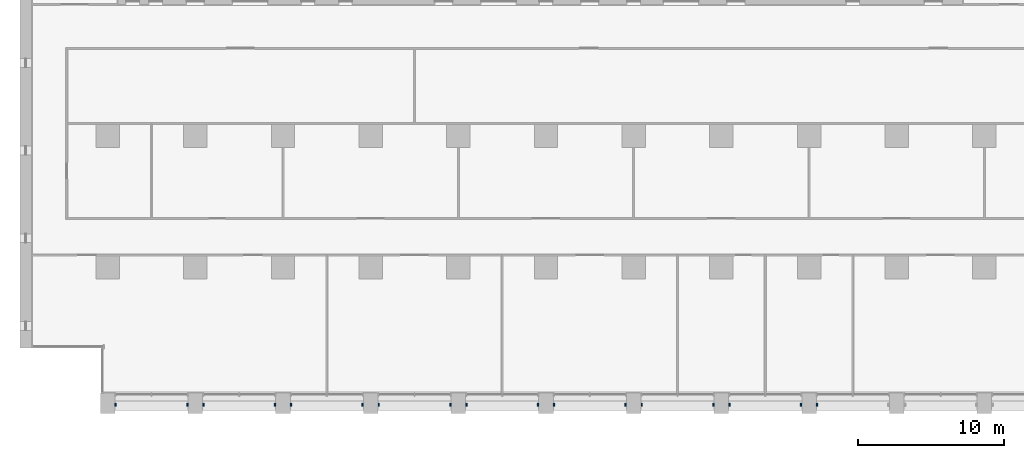
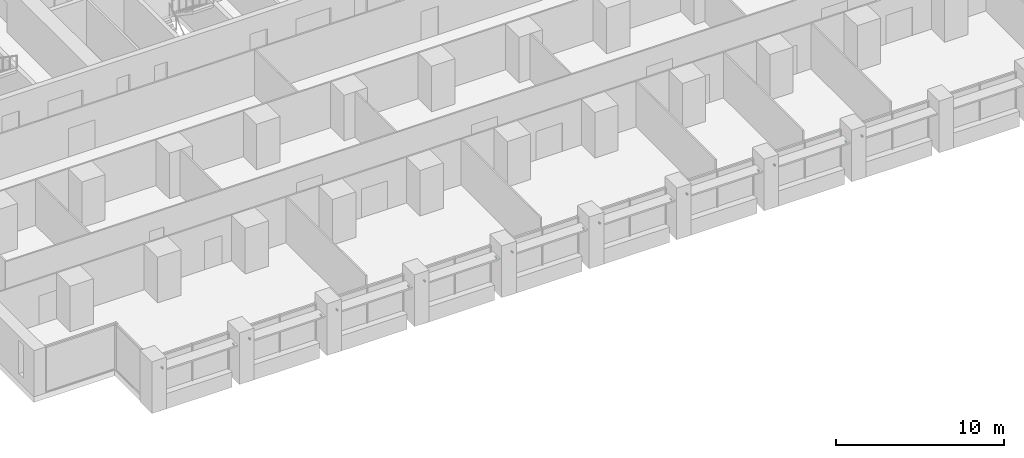
# One storey, part 15 of 18: 17 discrete accessories.
"""IFC4 building model written with IfcOpenShell, lengths in metres."""

from ifc_helpers import new_model, si_unit, direction, frame, origin, origin_2d, place, context, subcontext, project, spatial, rectangle, extrude, element, save


model = new_model("IFC4")

# Units and contexts
model_context = context("Model", 3, precision=1e-05, world=origin(), true_north=direction((0.0, 1.0)))
body_context = subcontext(model_context, "Body", "Model", "MODEL_VIEW")
ifc_project = project(units=[si_unit("LENGTHUNIT", "METRE"), si_unit("AREAUNIT", "SQUARE_METRE"), si_unit("VOLUMEUNIT", "CUBIC_METRE"), si_unit("PLANEANGLEUNIT", "RADIAN"), si_unit("MASSUNIT", "GRAM", prefix="KILO")], contexts=[model_context])

# Site, building, storey
site_placement = place(None, origin())
site = spatial("IfcSite", under=ifc_project, at=site_placement, CompositionType="ELEMENT")
building_placement = place(site_placement, origin())
building = spatial("IfcBuilding", under=site, at=building_placement, Name="Calvaro Tower", CompositionType="ELEMENT")
storey_placement = place(building_placement, frame((0.0, 0.0, 63.75)))
storey = spatial("IfcBuildingStorey", under=building, at=storey_placement, Name="L15", CompositionType="ELEMENT", Elevation=63.75)

# Discrete accessories
for number, where, z_axis, x_axis, name in (
    (1, (6.550048828125, 0.60009765625, 2.14990234375), (0.0, 0.0, 1.0), (1.0, 0.0, 0.0), "Brise-soleil bracket"),
    (2, (11.449951171875, 0.60009765625, 2.14990234375), (0.0, 0.0, 1.0), (1.0, 0.0, 0.0), "Brise-soleil bracket"),
    (3, (12.550048828125, 0.60009765625, 2.14990234375), (0.0, 0.0, 1.0), (1.0, 0.0, 0.0), "Brise-soleil bracket"),
    (4, (17.449951171875, 0.60009765625, 2.14990234375), (0.0, 0.0, 1.0), (1.0, 0.0, 0.0), "Brise-soleil bracket"),
    (5, (18.550048828125, 0.60009765625, 2.14990234375), (0.0, 0.0, 1.0), (1.0, 0.0, 0.0), "Brise-soleil bracket"),
    (6, (23.449951171875, 0.60009765625, 2.14990234375), (0.0, 0.0, 1.0), (1.0, 0.0, 0.0), "Brise-soleil bracket"),
    (7, (24.550048828125, 0.60009765625, 2.14990234375), (0.0, 0.0, 1.0), (1.0, 0.0, 0.0), "Brise-soleil bracket"),
    (8, (29.449951171875, 0.60009765625, 2.14990234375), (0.0, 0.0, 1.0), (1.0, 0.0, 0.0), "Brise-soleil bracket"),
    (9, (30.550048828125, 0.60009765625, 2.14990234375), (0.0, 0.0, 1.0), (1.0, 0.0, 0.0), "Brise-soleil bracket"),
    (10, (35.449951171875, 0.60009765625, 2.14990234375), (0.0, 0.0, 1.0), (1.0, 0.0, 0.0), "Brise-soleil bracket"),
    (11, (36.550048828125, 0.60009765625, 2.14990234375), (0.0, 0.0, 1.0), (1.0, 0.0, 0.0), "Brise-soleil bracket"),
    (12, (41.449951171875, 0.60009765625, 2.14990234375), (0.0, 0.0, 1.0), (1.0, 0.0, 0.0), "Brise-soleil bracket"),
    (13, (42.550048828125, 0.60009765625, 2.14990234375), (0.0, 0.0, 1.0), (1.0, 0.0, 0.0), "Brise-soleil bracket"),
    (14, (47.449951171875, 0.60009765625, 2.14990234375), (0.0, 0.0, 1.0), (1.0, 0.0, 0.0), "Brise-soleil bracket"),
    (15, (48.550048828125, 0.60009765625, 2.14990234375), (0.0, 0.0, 1.0), (1.0, 0.0, 0.0), "Brise-soleil bracket"),
    (16, (53.449951171875, 0.60009765625, 2.14990234375), (0.0, 0.0, 1.0), (1.0, 0.0, 0.0), "Brise-soleil bracket"),
    (17, (54.550048828125, 0.60009765625, 2.14990234375), (0.0, 0.0, 1.0), (1.0, 0.0, 0.0), "Brise-soleil bracket"),
):
    element("IfcDiscreteAccessory", number, at=place(storey_placement, frame(where, z_axis=z_axis, x_axis=x_axis)), inside=storey, Name=name, PredefinedType="BRACKET", context=body_context, shape_type="SweptSolid", body=[
        extrude(rectangle(XDim=0.10009765625, YDim=0.199951171875, at=origin_2d()), origin(), (0.0, 0.0, 1.0), 0.10009765625),
    ])

save(model, "model.ifc")
